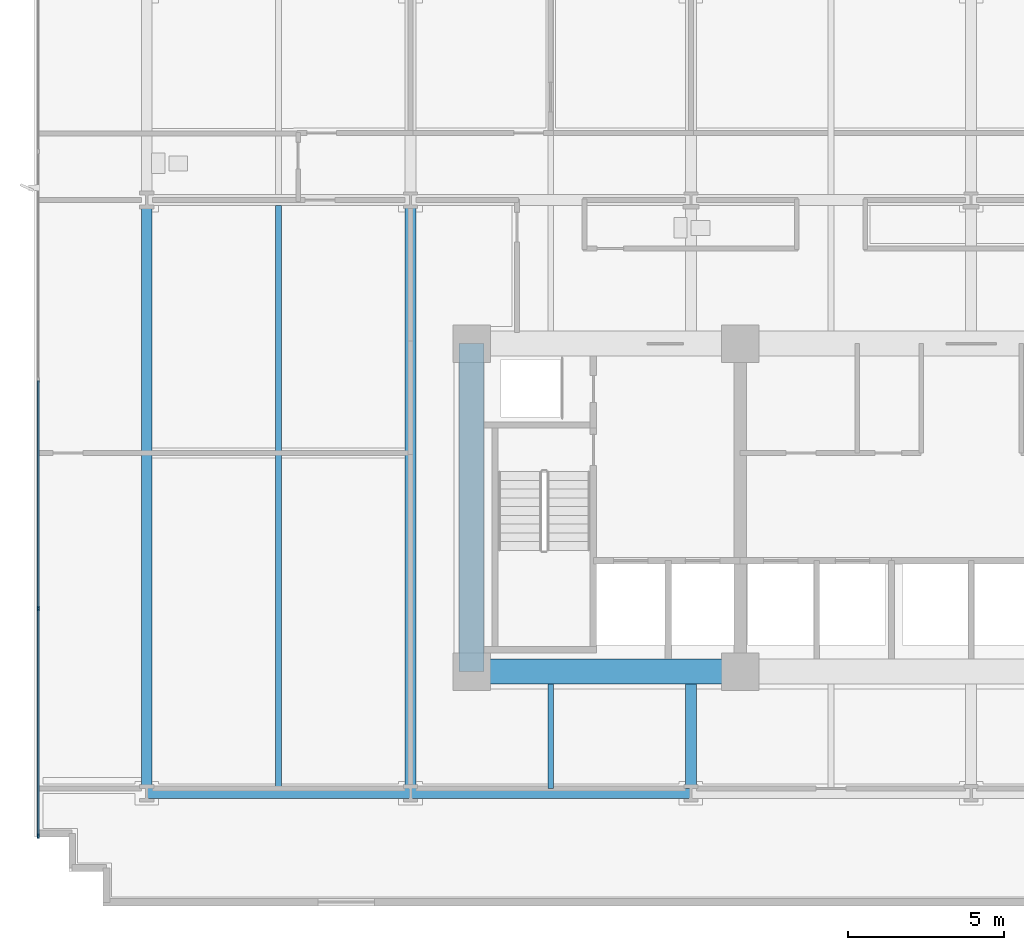
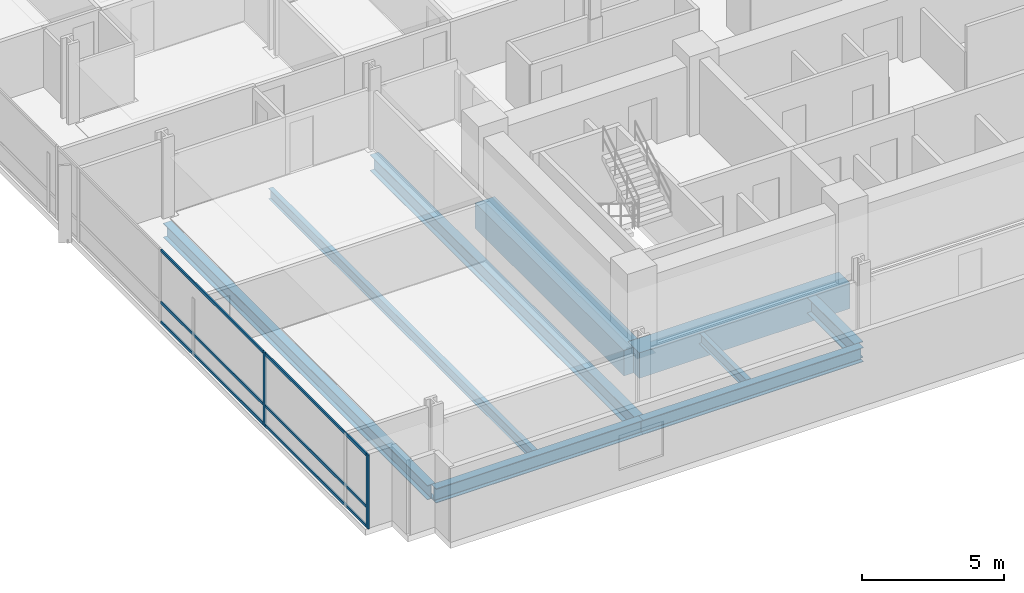
# One storey, part 2 of 20: 9 beams, 8 members, 1 element without a shape of its own.
"""IFC4 building model written with IfcOpenShell, lengths in metres."""

from ifc_helpers import new_model, si_unit, direction, frame, origin, origin_2d, place, context, subcontext, project, spatial, rectangle, i_section, extrude, material, material_profile, profile_set, type_object, element, aggregate, save


model = new_model("IFC4")

# Units and contexts
model_context = context("Model", 3, precision=1e-05, world=origin(), true_north=direction((0.0, 1.0)))
body_context = subcontext(model_context, "Body", "Model", "MODEL_VIEW")
ifc_project = project(units=[si_unit("LENGTHUNIT", "METRE"), si_unit("AREAUNIT", "SQUARE_METRE"), si_unit("VOLUMEUNIT", "CUBIC_METRE"), si_unit("PLANEANGLEUNIT", "RADIAN"), si_unit("MASSUNIT", "GRAM", prefix="KILO")], contexts=[model_context])

# Site, building, storey
site_placement = place(None, origin())
site = spatial("IfcSite", under=ifc_project, at=site_placement, CompositionType="ELEMENT")
building_placement = place(site_placement, origin())
building = spatial("IfcBuilding", under=site, at=building_placement, Name="Solmavex Isthmus Hotel", CompositionType="ELEMENT")
storey_placement = place(building_placement, frame((0.0, 0.0, 57.449951171875)))
storey = spatial("IfcBuildingStorey", under=building, at=storey_placement, Name="L15", CompositionType="ELEMENT", Elevation=57.449951171875)

# Beams
ifc_material_1 = material(Name="Steel ASTM A992 Grade 50", Category="steel")
ifc_material_profile_1 = material_profile(ifc_material_1, i_section(OverallWidth=0.354736328125, OverallDepth=0.695556640625, WebThickness=0.015380859375, FlangeThickness=0.02490234375, FilletRadius=0.017822265625, at=origin_2d()), Name="W27X146")
ifc_profile_set_1 = profile_set([ifc_material_profile_1], Name="Steel ASTM A992 Grade 50")
beam_type_1 = type_object("IfcBeamType", Name="BM-BG-W27X146", PredefinedType="BEAM", material=ifc_profile_set_1)
beam_1_placement = place(storey_placement, frame((-17.951904296875, -16.73681640625, -0.607666015625), z_axis=(0.0, 1.0, 0.0), x_axis=(-1.0, 0.0, 0.0)))
element("IfcBeam", 1, at=beam_1_placement, inside=storey, type_object=beam_type_1, Name="Floor Beam L15-VG28", PredefinedType="BEAM", context=body_context, shape_type="SweptSolid", body=[
    extrude(i_section(OverallWidth=0.354736328125, OverallDepth=0.695556640625, WebThickness=0.015380859375, FlangeThickness=0.02490234375, FilletRadius=0.017822265625, at=origin_2d()), origin(), (0.0, 0.0, 1.0), 18.659423828125),
])
beam_2_placement = place(storey_placement, frame((-8.97607421875, -16.73681640625, -0.607666015625), z_axis=(0.0, 1.0, 0.0), x_axis=(-1.0, 0.0, 0.0)))
element("IfcBeam", 2, at=beam_2_placement, inside=storey, type_object=beam_type_1, Name="Floor Beam L15-VG31", PredefinedType="BEAM", context=body_context, shape_type="SweptSolid", body=[
    extrude(i_section(OverallWidth=0.354736328125, OverallDepth=0.695556640625, WebThickness=0.015380859375, FlangeThickness=0.02490234375, FilletRadius=0.017822265625, at=origin_2d()), origin(), (0.0, 0.0, 1.0), 3.3369140625),
])
ifc_material_profile_2 = material_profile(ifc_material_1, i_section(OverallWidth=0.1904296875, OverallDepth=0.456787109375, WebThickness=0.009033203125, FlangeThickness=0.014404296875, FilletRadius=0.0126953125, at=origin_2d()), Name="W18X50")
ifc_profile_set_2 = profile_set([ifc_material_profile_2], Name="Steel ASTM A992 Grade 50")
beam_type_2 = type_object("IfcBeamType", Name="BM-BJ-W18X50", PredefinedType="JOIST", material=ifc_profile_set_2)
beam_3_placement = place(storey_placement, frame((-22.176025390625, -16.73681640625, -0.48828125), z_axis=(0.0, 1.0, 0.0), x_axis=(-1.0, 0.0, 0.0)))
element("IfcBeam", 3, at=beam_3_placement, inside=storey, type_object=beam_type_2, Name="Secondary Floor Joist L15-J01", PredefinedType="JOIST", context=body_context, shape_type="SweptSolid", body=[
    extrude(i_section(OverallWidth=0.1904296875, OverallDepth=0.456787109375, WebThickness=0.009033203125, FlangeThickness=0.014404296875, FilletRadius=0.0126953125, at=origin_2d()), origin(), (0.0, 0.0, 1.0), 18.659423828125),
])
beam_4_placement = place(storey_placement, frame((-13.464111328125, -16.73681640625, -0.48828125), z_axis=(0.0, 1.0, 0.0), x_axis=(-1.0, 0.0, 0.0)))
element("IfcBeam", 4, at=beam_4_placement, inside=storey, type_object=beam_type_2, Name="Secondary Floor Joist L15-J04", PredefinedType="JOIST", context=body_context, shape_type="SweptSolid", body=[
    extrude(i_section(OverallWidth=0.1904296875, OverallDepth=0.456787109375, WebThickness=0.009033203125, FlangeThickness=0.014404296875, FilletRadius=0.0126953125, at=origin_2d()), origin(), (0.0, 0.0, 1.0), 3.3369140625),
])
ifc_material_2 = material(Name="Concrete C70/85", Category="concrete")
ifc_material_profile_3 = material_profile(ifc_material_2, rectangle(XDim=0.800048828125, YDim=1.10009765625, at=origin_2d()), Name="RC800X1100")
ifc_profile_set_3 = profile_set([ifc_material_profile_3], Name="Concrete C70/85")
beam_type_3 = type_object("IfcBeamType", Name="BM-CB-800X1100", PredefinedType="BEAM", material=ifc_profile_set_3)
beam_5_placement = place(storey_placement, frame((-16.0, -13.0, -0.81005859375), z_axis=(1.0, 0.0, 0.0), x_axis=(0.0, 1.0, 0.0)))
element("IfcBeam", 5, at=beam_5_placement, inside=storey, type_object=beam_type_3, Name="Core Coupling Beam L15-CB1", PredefinedType="BEAM", context=body_context, shape_type="SweptSolid", body=[
    extrude(rectangle(XDim=0.800048828125, YDim=1.10009765625, at=origin_2d()), origin(), (0.0, 0.0, 1.0), 8.60009765625),
])
beam_6_placement = place(storey_placement, frame((-16.0, -13.0, -0.81005859375), z_axis=(0.0, 1.0, 0.0), x_axis=(-1.0, 0.0, 0.0)))
element("IfcBeam", 6, at=beam_6_placement, inside=storey, type_object=beam_type_3, Name="Core Coupling Beam L15-CB7", PredefinedType="BEAM", context=body_context, shape_type="SweptSolid", body=[
    extrude(rectangle(XDim=0.800048828125, YDim=1.10009765625, at=origin_2d()), origin(), (0.0, 0.0, 1.0), 10.5),
])
ifc_material_profile_4 = material_profile(ifc_material_1, i_section(OverallWidth=0.326416015625, OverallDepth=0.621826171875, WebThickness=0.015380859375, FlangeThickness=0.0244140625, FilletRadius=0.01513671875, at=origin_2d()), Name="W24X131")
ifc_profile_set_4 = profile_set([ifc_material_profile_4], Name="Steel ASTM A992 Grade 50")
beam_type_4 = type_object("IfcBeamType", Name="BM-SP-W24X131", PredefinedType="SPANDREL", material=ifc_profile_set_4)
beam_7_placement = place(storey_placement, frame((-26.39990234375, -16.89990234375, -0.57080078125), z_axis=(1.0, 0.0, 0.0), x_axis=(0.0, 1.0, 0.0)))
element("IfcBeam", 7, at=beam_7_placement, inside=storey, type_object=beam_type_4, Name="Floor Girder L15-UG01", PredefinedType="SPANDREL", context=body_context, shape_type="SweptSolid", body=[
    extrude(i_section(OverallWidth=0.326416015625, OverallDepth=0.621826171875, WebThickness=0.015380859375, FlangeThickness=0.0244140625, FilletRadius=0.01513671875, at=origin_2d()), origin(), (0.0, 0.0, 1.0), 8.447998046875),
])
beam_8_placement = place(storey_placement, frame((-17.951904296875, -16.89990234375, -0.57080078125), z_axis=(1.0, 0.0, 0.0), x_axis=(0.0, 1.0, 0.0)))
element("IfcBeam", 8, at=beam_8_placement, inside=storey, type_object=beam_type_4, Name="Floor Girder L15-UG02", PredefinedType="SPANDREL", context=body_context, shape_type="SweptSolid", body=[
    extrude(i_section(OverallWidth=0.326416015625, OverallDepth=0.621826171875, WebThickness=0.015380859375, FlangeThickness=0.0244140625, FilletRadius=0.01513671875, at=origin_2d()), origin(), (0.0, 0.0, 1.0), 8.975830078125),
])
beam_9_placement = place(storey_placement, frame((-26.39990234375, -16.73681640625, -0.57080078125), z_axis=(0.0, 1.0, 0.0), x_axis=(-1.0, 0.0, 0.0)))
element("IfcBeam", 9, at=beam_9_placement, inside=storey, type_object=beam_type_4, Name="Floor Beam L15-VG25", PredefinedType="SPANDREL", context=body_context, shape_type="SweptSolid", body=[
    extrude(i_section(OverallWidth=0.326416015625, OverallDepth=0.621826171875, WebThickness=0.015380859375, FlangeThickness=0.0244140625, FilletRadius=0.01513671875, at=origin_2d()), origin(), (0.0, 0.0, 1.0), 18.659423828125),
])

# Curtain wall, members
ifc_material_3 = material(Name="Aluminium alloy 6063-T6", Category="aluminium")
curtain_wall_type = type_object("IfcCurtainWallType", Name="CW-SYS-06", PredefinedType="NOTDEFINED", material=ifc_material_3)
curtain_wall_placement = place(storey_placement, origin())
curtain_wall = element("IfcCurtainWall", 10, at=curtain_wall_placement, inside=storey, type_object=curtain_wall_type, Name="Stick Curtain Wall CWL-L15-W1", PredefinedType="NOTDEFINED")
ifc_material_profile_5 = material_profile(ifc_material_3, rectangle(XDim=0.06005859375, YDim=0.139892578125, at=origin_2d()), Name="CWM-60X140")
ifc_profile_set_5 = profile_set([ifc_material_profile_5], Name="Aluminium alloy 6063-T6")
member_type_1 = type_object("IfcMemberType", Name="CW-SYS-06-MUL", PredefinedType="MULLION", material=ifc_profile_set_5)
member_1_placement = place(storey_placement, frame((-29.8798828125, -18.27001953125, 0.0), z_axis=(0.0, 0.0, 1.0), x_axis=(-1.0, 0.0, 0.0)))
member_1 = element("IfcMember", 11, at=member_1_placement, type_object=member_type_1, Name="CW-06 mullion 1", PredefinedType="MULLION", context=body_context, shape_type="SweptSolid", body=[
    extrude(rectangle(XDim=0.06005859375, YDim=0.139892578125, at=origin_2d()), origin(), (0.0, 0.0, 1.0), 3.18994140625),
])
member_2_placement = place(storey_placement, frame((-29.8798828125, -10.97998046875, 0.0), z_axis=(0.0, 0.0, 1.0), x_axis=(-1.0, 0.0, 0.0)))
member_2 = element("IfcMember", 12, at=member_2_placement, type_object=member_type_1, Name="CW-06 mullion 2", PredefinedType="MULLION", context=body_context, shape_type="SweptSolid", body=[
    extrude(rectangle(XDim=0.06005859375, YDim=0.139892578125, at=origin_2d()), origin(), (0.0, 0.0, 1.0), 3.18994140625),
])
ifc_material_profile_6 = material_profile(ifc_material_3, rectangle(XDim=0.06005859375, YDim=0.114990234375, at=origin_2d()), Name="CWT-60X115")
ifc_profile_set_6 = profile_set([ifc_material_profile_6], Name="Aluminium alloy 6063-T6")
member_type_2 = type_object("IfcMemberType", Name="CW-SYS-06-TRN", PredefinedType="USERDEFINED", material=ifc_profile_set_6)
member_3_placement = place(storey_placement, frame((-29.8798828125, -18.239990234375, 0.0576171875), z_axis=(0.0, 1.0, 0.0), x_axis=(-1.0, 0.0, 0.0)))
member_3 = element("IfcMember", 13, at=member_3_placement, type_object=member_type_2, Name="CW-06 transom 1.1", ObjectType="TRANSOM", PredefinedType="USERDEFINED", context=body_context, shape_type="SweptSolid", body=[
    extrude(rectangle(XDim=0.06005859375, YDim=0.114990234375, at=origin_2d()), origin(), (0.0, 0.0, 1.0), 7.22998046875),
])
member_4_placement = place(storey_placement, frame((-29.8798828125, -18.239990234375, 0.900146484375), z_axis=(0.0, 1.0, 0.0), x_axis=(-1.0, 0.0, 0.0)))
member_4 = element("IfcMember", 14, at=member_4_placement, type_object=member_type_2, Name="CW-06 transom 1.2", ObjectType="TRANSOM", PredefinedType="USERDEFINED", context=body_context, shape_type="SweptSolid", body=[
    extrude(rectangle(XDim=0.06005859375, YDim=0.114990234375, at=origin_2d()), origin(), (0.0, 0.0, 1.0), 7.22998046875),
])
member_5_placement = place(storey_placement, frame((-29.8798828125, -18.239990234375, 3.132568359375), z_axis=(0.0, 1.0, 0.0), x_axis=(-1.0, 0.0, 0.0)))
member_5 = element("IfcMember", 15, at=member_5_placement, type_object=member_type_2, Name="CW-06 transom 1.3", ObjectType="TRANSOM", PredefinedType="USERDEFINED", context=body_context, shape_type="SweptSolid", body=[
    extrude(rectangle(XDim=0.06005859375, YDim=0.114990234375, at=origin_2d()), origin(), (0.0, 0.0, 1.0), 7.22998046875),
])
member_6_placement = place(storey_placement, frame((-29.8798828125, -10.949951171875, 0.0576171875), z_axis=(0.0, 1.0, 0.0), x_axis=(-1.0, 0.0, 0.0)))
member_6 = element("IfcMember", 16, at=member_6_placement, type_object=member_type_2, Name="CW-06 transom 2.1", ObjectType="TRANSOM", PredefinedType="USERDEFINED", context=body_context, shape_type="SweptSolid", body=[
    extrude(rectangle(XDim=0.06005859375, YDim=0.114990234375, at=origin_2d()), origin(), (0.0, 0.0, 1.0), 7.260009765625),
])
member_7_placement = place(storey_placement, frame((-29.8798828125, -10.949951171875, 0.900146484375), z_axis=(0.0, 1.0, 0.0), x_axis=(-1.0, 0.0, 0.0)))
member_7 = element("IfcMember", 17, at=member_7_placement, type_object=member_type_2, Name="CW-06 transom 2.2", ObjectType="TRANSOM", PredefinedType="USERDEFINED", context=body_context, shape_type="SweptSolid", body=[
    extrude(rectangle(XDim=0.06005859375, YDim=0.114990234375, at=origin_2d()), origin(), (0.0, 0.0, 1.0), 7.260009765625),
])
member_8_placement = place(storey_placement, frame((-29.8798828125, -10.949951171875, 3.132568359375), z_axis=(0.0, 1.0, 0.0), x_axis=(-1.0, 0.0, 0.0)))
member_8 = element("IfcMember", 18, at=member_8_placement, type_object=member_type_2, Name="CW-06 transom 2.3", ObjectType="TRANSOM", PredefinedType="USERDEFINED", context=body_context, shape_type="SweptSolid", body=[
    extrude(rectangle(XDim=0.06005859375, YDim=0.114990234375, at=origin_2d()), origin(), (0.0, 0.0, 1.0), 7.260009765625),
])
aggregate(curtain_wall, [member_1, member_2, member_3, member_4, member_5, member_6, member_7, member_8])

save(model, "model.ifc")
